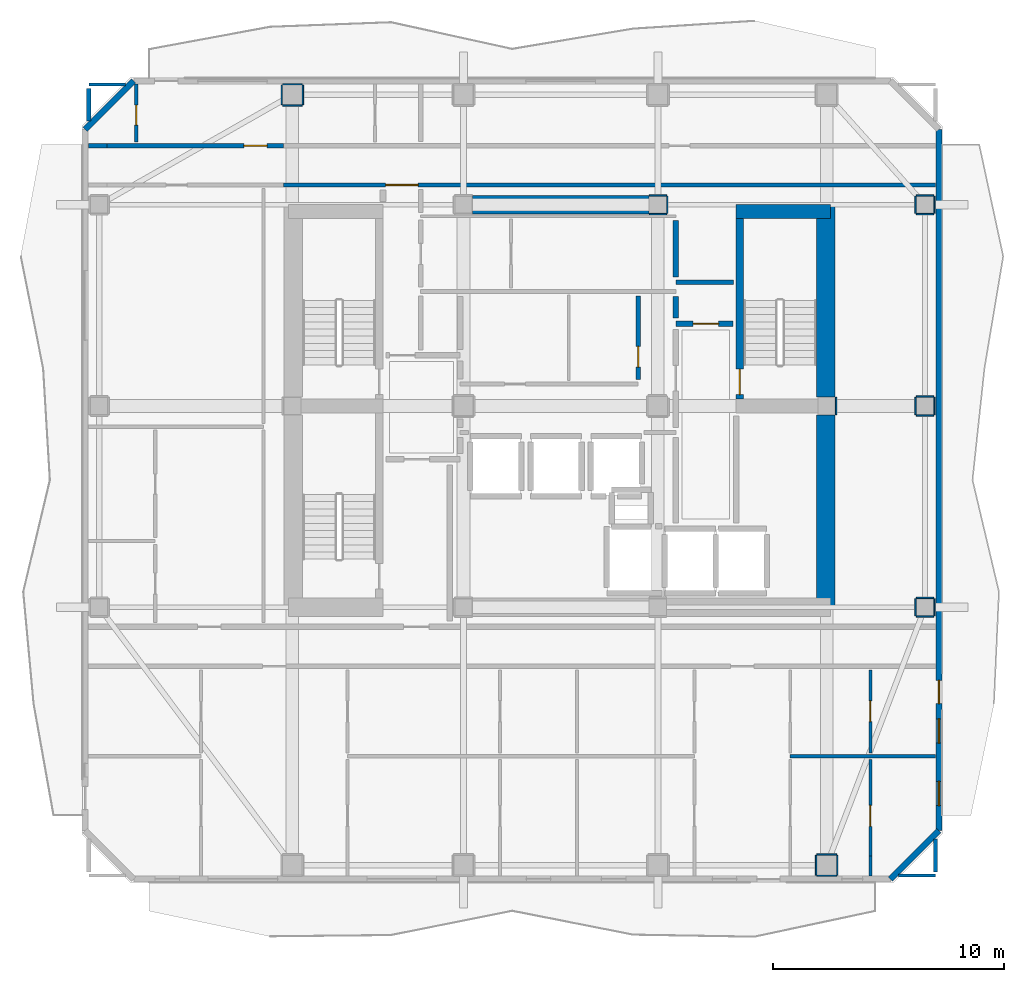
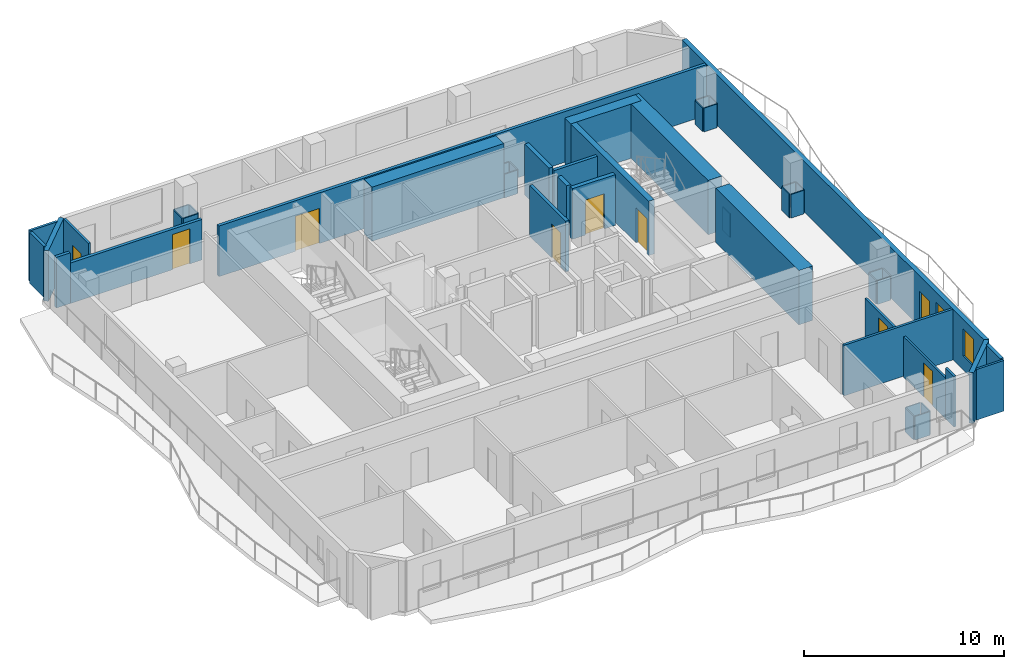
# One storey, part 5 of 10: 49 walls, 9 doors, 2 windows, 11 openings.
"""IFC4 building model written with IfcOpenShell, lengths in metres."""

import ifcopenshell
import ifcopenshell.guid

model = None  # the IFC model being written
_history = None  # IfcOwnerHistory: only IFC2X3 demands one
_inside = {}  # id of a spatial element -> (the spatial element, [elements in it])
_under = {}  # id of a project, library or spatial element -> (it, [spatial elements below it])
_declared = {}  # id of a project -> (the project, [libraries it declares])
_typed = {}  # id of a type object -> (the type object, [elements of that type])
_made_of = {}  # id of a material, layer set ... -> (it, [elements and type objects made of it])


def new_model(schema):
    """Start an empty IFC model of exactly this schema.

    Asked for "IFC4X3", IfcOpenShell would pick the latest addendum, in which some entities
    have other attributes; the version numbers below select the first issue.
    IFC2X3 requires an IfcOwnerHistory on every rooted entity: one is made here for all.
    """
    global model, _history
    if schema == "IFC4X3":
        model = ifcopenshell.file(schema_version=(4, 3, 0, 0))
    else:
        model = ifcopenshell.file(schema=schema)
    _inside.clear()
    _under.clear()
    _declared.clear()
    _typed.clear()
    _made_of.clear()
    _history = None
    if model.schema == "IFC2X3":
        org = make("IfcOrganization", Name="unknown")
        user = make(
            "IfcPersonAndOrganization",
            ThePerson=make("IfcPerson", FamilyName="unknown"),
            TheOrganization=org,
        )
        app = make(
            "IfcApplication",
            ApplicationDeveloper=org,
            Version="unknown",
            ApplicationFullName="unknown",
            ApplicationIdentifier="unknown",
        )
        _history = make(
            "IfcOwnerHistory",
            OwningUser=user,
            OwningApplication=app,
            ChangeAction="ADDED",
            CreationDate=0,
        )
    return model


def make(cls, **values):
    """One entity of the class cls with the attributes given. An attribute that is None is left unset."""
    return model.create_entity(
        cls, **{name: value for name, value in values.items() if value is not None}
    )


def rooted(cls, **values):
    """An entity with a GlobalId (a new one), such as an element, a storey or a relation."""
    return make(cls, GlobalId=ifcopenshell.guid.new(), OwnerHistory=_history, **values)


def si_unit(unit_type, name, prefix=None):
    """IfcSIUnit, for example si_unit("LENGTHUNIT", "METRE", prefix="MILLI")."""
    return make("IfcSIUnit", UnitType=unit_type, Prefix=prefix, Name=name)


def assignment(units):
    """IfcUnitAssignment: the units of a project."""
    return None if units is None else make("IfcUnitAssignment", Units=units)


def point(xyz):
    """IfcCartesianPoint."""
    return None if xyz is None else make("IfcCartesianPoint", Coordinates=xyz)


def direction(xyz):
    """IfcDirection."""
    return None if xyz is None else make("IfcDirection", DirectionRatios=xyz)


def frame(location, z_axis=None, x_axis=None):
    """IfcAxis2Placement3D, a coordinate frame: its origin and axes. An axis left out is left unset."""
    return make(
        "IfcAxis2Placement3D",
        Location=point(location),
        Axis=direction(z_axis),
        RefDirection=direction(x_axis),
    )


def frame_2d(location, x_axis=None):
    """IfcAxis2Placement2D, a coordinate frame in the plane: its origin and x axis."""
    return make(
        "IfcAxis2Placement2D", Location=point(location), RefDirection=direction(x_axis)
    )


def origin():
    """The frame at (0, 0, 0) with its axes left unset."""
    return frame((0.0, 0.0, 0.0))


def place(relative_to, where):
    """IfcLocalPlacement: puts the frame where relative to a parent placement (None: the world)."""
    return make(
        "IfcLocalPlacement", PlacementRelTo=relative_to, RelativePlacement=where
    )


def context(
    kind, dimensions, precision=None, world=None, true_north=None, identifier=None
):
    """IfcGeometricRepresentationContext, for example the 3D "Model" context."""
    return make(
        "IfcGeometricRepresentationContext",
        ContextIdentifier=identifier,
        ContextType=kind,
        CoordinateSpaceDimension=dimensions,
        Precision=precision,
        WorldCoordinateSystem=world,
        TrueNorth=true_north,
    )


def subcontext(parent, identifier, kind, view, scale=None):
    """IfcGeometricRepresentationSubContext, for example "Body" below "Model"."""
    return make(
        "IfcGeometricRepresentationSubContext",
        ContextIdentifier=identifier,
        ContextType=kind,
        ParentContext=parent,
        TargetScale=scale,
        TargetView=view,
    )


def project(units=None, contexts=None):
    """IfcProject with its units and contexts."""
    return rooted(
        "IfcProject",
        Name="project",
        RepresentationContexts=contexts,
        UnitsInContext=assignment(units),
    )


def spatial(cls, under=None, at=None, **own):
    """A site, building, storey or space (cls), placed at a placement, below another one or the project."""
    s = rooted(cls, ObjectPlacement=at, **own)
    if under is not None:
        _under.setdefault(under.id(), (under, []))[1].append(s)
    return s


def profile(cls, at=None, kind="AREA", **sizes):
    """A parametric profile (cls). Its sizes go by their IFC names, for example OverallWidth=200.0."""
    return make(cls, ProfileType=kind, Position=at, **sizes)


def rectangle(**sizes):
    """IfcRectangleProfileDef."""
    return profile("IfcRectangleProfileDef", **sizes)


def extrude(swept, where, along, depth):
    """IfcExtrudedAreaSolid: the profile swept, set in the frame where, extruded along a direction by depth."""
    return make(
        "IfcExtrudedAreaSolid",
        SweptArea=swept,
        Position=where,
        ExtrudedDirection=direction(along),
        Depth=depth,
    )


def shape(context_of_items, identifier, shape_type, items):
    """IfcShapeRepresentation: the items that make up one representation, for example the "Body"."""
    return make(
        "IfcShapeRepresentation",
        ContextOfItems=context_of_items,
        RepresentationIdentifier=identifier,
        RepresentationType=shape_type,
        Items=items,
    )


def material(Name=None, Category=None):
    """IfcMaterial."""
    return make("IfcMaterial", Name=Name, Category=Category)


def layer(
    of_material, thickness, ventilated=None, Name=None, Category=None, Priority=None
):
    """IfcMaterialLayer: one layer of a wall or slab, of a material (None: an air gap)."""
    return make(
        "IfcMaterialLayer",
        Material=of_material,
        LayerThickness=thickness,
        IsVentilated=ventilated,
        Name=Name,
        Category=Category,
        Priority=Priority,
    )


def layer_set(layers, Name=None):
    """IfcMaterialLayerSet."""
    return make("IfcMaterialLayerSet", MaterialLayers=layers, LayerSetName=Name)


def made_of(thing, what):
    """Note that an element or type object is made of a material, layer set ...; save() writes the relation."""
    if what is not None:
        _made_of.setdefault(what.id(), (what, []))[1].append(thing)
    return thing


def type_object(cls, material=None, **own):
    """A type object (cls), such as IfcWallType, which elements share."""
    return made_of(rooted(cls, **own), material)


def element(
    cls,
    number,
    at=None,
    inside=None,
    cuts=None,
    type_object=None,
    material=None,
    context=None,
    identifier="Body",
    shape_type=None,
    held_by="IfcProductDefinitionShape",
    body=None,
    shapes=None,
    **own,
):
    """One element of the class cls, such as IfcWall. Its Tag is "e" and its number.

    at: its placement. inside: the storey or other place that contains it. cuts: it is an
    opening in that element (IfcRelVoidsElement). A single representation is given by context,
    identifier, shape_type and body (its items); several are given by shapes. held_by: the class
    of the entity that holds the representations. save() writes the other relations.
    """
    e = rooted(cls, Tag="e%d" % number, ObjectPlacement=at, **own)
    if body is not None:
        shapes = [shape(context, identifier, shape_type, body)]
    if shapes is not None:
        e.Representation = make(held_by, Representations=shapes)
    if inside is not None:
        _inside.setdefault(inside.id(), (inside, []))[1].append(e)
    if cuts is not None:
        rooted(
            "IfcRelVoidsElement", RelatingBuildingElement=cuts, RelatedOpeningElement=e
        )
    if type_object is not None:
        _typed.setdefault(type_object.id(), (type_object, []))[1].append(e)
    return made_of(e, material)


def fill(opening, filler):
    """IfcRelFillsElement: the door or window that sits in an opening."""
    return rooted(
        "IfcRelFillsElement",
        RelatingOpeningElement=opening,
        RelatedBuildingElement=filler,
    )


def aggregate(whole, parts):
    """IfcRelAggregates: a whole, such as a stair, and the parts it consists of."""
    return rooted("IfcRelAggregates", RelatingObject=whole, RelatedObjects=parts)


def save(model, path):
    """Write the relations noted so far, then the file.

    IfcRelAggregates (storeys below a building ...), IfcRelContainedInSpatialStructure (elements
    in a storey), IfcRelDefinesByType, IfcRelAssociatesMaterial and IfcRelDeclares: one each for
    every whole, place, type object, material and project.
    """
    for whole, parts in _under.values():
        aggregate(whole, parts)
    for where, things in _inside.values():
        rooted(
            "IfcRelContainedInSpatialStructure",
            RelatedElements=things,
            RelatingStructure=where,
        )
    for kind, things in _typed.values():
        rooted("IfcRelDefinesByType", RelatedObjects=things, RelatingType=kind)
    for what, things in _made_of.values():
        rooted("IfcRelAssociatesMaterial", RelatedObjects=things, RelatingMaterial=what)
    for by, libraries in _declared.values():
        rooted("IfcRelDeclares", RelatingContext=by, RelatedDefinitions=libraries)
    model.write(path)


model = new_model("IFC4")

# Units and contexts
model_context = context("Model", 3, precision=1e-05, world=origin(), true_north=direction((0.0, 1.0)))
body_context = subcontext(model_context, "Body", "Model", "MODEL_VIEW")
ifc_project = project(units=[si_unit("LENGTHUNIT", "METRE"), si_unit("AREAUNIT", "SQUARE_METRE"), si_unit("VOLUMEUNIT", "CUBIC_METRE"), si_unit("PLANEANGLEUNIT", "RADIAN"), si_unit("MASSUNIT", "GRAM", prefix="KILO")], contexts=[model_context])

# Site, building, storey
site_placement = place(None, origin())
site = spatial("IfcSite", under=ifc_project, at=site_placement, CompositionType="ELEMENT")
building_placement = place(site_placement, origin())
building = spatial("IfcBuilding", under=site, at=building_placement, Name="Solanera Arch Residences", CompositionType="ELEMENT")
storey_placement = place(building_placement, frame((0.0, 0.0, 200.1201171875)))
storey = spatial("IfcBuildingStorey", under=building, at=storey_placement, Name="L58", CompositionType="ELEMENT", Elevation=200.1201171875)

# Walls
ifc_material_1 = material(Name="Fire-Rated Gypsum Stud Partition", Category="gypsum")
ifc_layer_1 = layer(ifc_material_1, 0.06005859375)
ifc_layer_set_1 = layer_set([ifc_layer_1], Name="Fire-Rated Gypsum Stud Partition")
wall_type_1 = type_object("IfcWallType", Name="Column Acoustic Furring Wall 60", PredefinedType="PARTITIONING", material=ifc_layer_set_1)
for number, where, z_axis, x_axis, name in (
    (1, (28.8330078125, 38.992919921875, 0.0), (0.0, 0.0, 1.0), (1.0, 0.0, 0.0), "L58 Column Furring 4S"),
    (2, (28.8330078125, 39.806884765625, 0.0), (0.0, 0.0, 1.0), (1.0, 0.0, 0.0), "L58 Column Furring 4N"),
):
    element("IfcWall", number, at=place(storey_placement, frame(where, z_axis=z_axis, x_axis=x_axis)), inside=storey, type_object=wall_type_1, Name=name, PredefinedType="PARTITIONING", context=body_context, shape_type="SweptSolid", body=[
        extrude(rectangle(XDim=0.741943359375, YDim=0.06005859375, at=frame_2d((0.37109375, 0.0))), origin(), (0.0, 0.0, 1.0), 1.449951171875),
    ])
for number, where, z_axis, x_axis, name in (
    (3, (29.60693359375, 39.02490234375, 0.0), (0.0, 0.0, 1.0), (0.0, 1.0, 0.0), "L58 Column Furring 4E"),
    (4, (36.906982421875, 30.324951171875, 0.0), (0.0, 0.0, 1.0), (0.0, 1.0, 0.0), "L58 Column Furring 6E"),
):
    element("IfcWall", number, at=place(storey_placement, frame(where, z_axis=z_axis, x_axis=x_axis)), inside=storey, type_object=wall_type_1, Name=name, PredefinedType="PARTITIONING", context=body_context, shape_type="SweptSolid", body=[
        extrude(rectangle(XDim=0.75, YDim=0.06005859375, at=frame_2d((0.375, 0.0))), origin(), (0.0, 0.0, 1.0), 1.449951171875),
    ])
for number, where, z_axis, x_axis, name in (
    (5, (12.97509765625, 43.693115234375, 0.0), (0.0, 0.0, 1.0), (1.0, 0.0, 0.0), "L58 Column Furring 10S"),
    (6, (12.97509765625, 44.60693359375, 0.0), (0.0, 0.0, 1.0), (1.0, 0.0, 0.0), "L58 Column Furring 10N"),
    (7, (12.943115234375, 43.72509765625, 0.0), (0.0, 0.0, 1.0), (0.0, 1.0, 0.0), "L58 Column Furring 10W"),
    (8, (13.85693359375, 43.72509765625, 0.0), (0.0, 0.0, 1.0), (0.0, 1.0, 0.0), "L58 Column Furring 10E"),
):
    element("IfcWall", number, at=place(storey_placement, frame(where, z_axis=z_axis, x_axis=x_axis)), inside=storey, type_object=wall_type_1, Name=name, PredefinedType="PARTITIONING", context=body_context, shape_type="SweptSolid", body=[
        extrude(rectangle(XDim=0.849853515625, YDim=0.06005859375, at=frame_2d((0.4248046875, 0.0))), origin(), (0.0, 0.0, 1.0), 1.449951171875),
    ])
for number, where, z_axis, x_axis, name in (
    (9, (36.074951171875, 10.39306640625, 0.0), (0.0, 0.0, 1.0), (1.0, 0.0, 0.0), "L58 Column Furring 15S"),
    (10, (36.074951171875, 11.306884765625, 0.0), (0.0, 0.0, 1.0), (1.0, 0.0, 0.0), "L58 Column Furring 15N"),
):
    element("IfcWall", number, at=place(storey_placement, frame(where, z_axis=z_axis, x_axis=x_axis)), inside=storey, type_object=wall_type_1, Name=name, PredefinedType="PARTITIONING", context=body_context, shape_type="SweptSolid", body=[
        extrude(rectangle(XDim=0.85009765625, YDim=0.06005859375, at=frame_2d((0.425048828125, 0.0))), origin(), (0.0, 0.0, 1.0), 1.449951171875),
    ])
for number, where, z_axis, x_axis, name in (
    (11, (36.04296875, 10.425048828125, 0.0), (0.0, 0.0, 1.0), (0.0, 1.0, 0.0), "L58 Column Furring 15W"),
    (12, (36.95703125, 10.425048828125, 0.0), (0.0, 0.0, 1.0), (0.0, 1.0, 0.0), "L58 Column Furring 15E"),
):
    element("IfcWall", number, at=place(storey_placement, frame(where, z_axis=z_axis, x_axis=x_axis)), inside=storey, type_object=wall_type_1, Name=name, PredefinedType="PARTITIONING", context=body_context, shape_type="SweptSolid", body=[
        extrude(rectangle(XDim=0.849853515625, YDim=0.06005859375, at=frame_2d((0.4248046875, 0.0))), origin(), (0.0, 0.0, 1.0), 1.449951171875),
    ])
for number, where, z_axis, x_axis, name in (
    (13, (40.375, 21.593017578125, 0.0), (0.0, 0.0, 1.0), (1.0, 0.0, 0.0), "L58 Column Furring 18S"),
    (14, (40.375, 22.406982421875, 0.0), (0.0, 0.0, 1.0), (1.0, 0.0, 0.0), "L58 Column Furring 18N"),
    (15, (40.343017578125, 21.625, 0.0), (0.0, 0.0, 1.0), (0.0, 1.0, 0.0), "L58 Column Furring 18W"),
    (16, (41.156982421875, 21.625, 0.0), (0.0, 0.0, 1.0), (0.0, 1.0, 0.0), "L58 Column Furring 18E"),
    (17, (40.375, 30.29296875, 0.0), (0.0, 0.0, 1.0), (1.0, 0.0, 0.0), "L58 Column Furring 20S"),
    (18, (40.375, 31.10693359375, 0.0), (0.0, 0.0, 1.0), (1.0, 0.0, 0.0), "L58 Column Furring 20N"),
    (19, (40.343017578125, 30.324951171875, 0.0), (0.0, 0.0, 1.0), (0.0, 1.0, 0.0), "L58 Column Furring 20W"),
    (20, (41.156982421875, 30.324951171875, 0.0), (0.0, 0.0, 1.0), (0.0, 1.0, 0.0), "L58 Column Furring 20E"),
    (21, (40.375, 38.992919921875, 0.0), (0.0, 0.0, 1.0), (1.0, 0.0, 0.0), "L58 Column Furring 22S"),
    (22, (40.375, 39.806884765625, 0.0), (0.0, 0.0, 1.0), (1.0, 0.0, 0.0), "L58 Column Furring 22N"),
    (23, (40.343017578125, 39.02490234375, 0.0), (0.0, 0.0, 1.0), (0.0, 1.0, 0.0), "L58 Column Furring 22W"),
    (24, (41.156982421875, 39.02490234375, 0.0), (0.0, 0.0, 1.0), (0.0, 1.0, 0.0), "L58 Column Furring 22E"),
):
    element("IfcWall", number, at=place(storey_placement, frame(where, z_axis=z_axis, x_axis=x_axis)), inside=storey, type_object=wall_type_1, Name=name, PredefinedType="PARTITIONING", context=body_context, shape_type="SweptSolid", body=[
        extrude(rectangle(XDim=0.75, YDim=0.06005859375, at=frame_2d((0.375, 0.0))), origin(), (0.0, 0.0, 1.0), 1.449951171875),
    ])

# Wall, opening, door
ifc_material_2 = material(Name="Concrete C40/50 (f'c = 45 MPa)", Category="concrete")
ifc_layer_2 = layer(ifc_material_2, 0.320068359375)
ifc_layer_set_2 = layer_set([ifc_layer_2], Name="Concrete C40/50 (f'c = 45 MPa)")
wall_type_2 = type_object("IfcWallType", Name="Core Shear Wall CW-320", PredefinedType="SHEAR", material=ifc_layer_set_2)
wall_1_placement = place(storey_placement, frame((32.739990234375, 31.0, 0.0), z_axis=(0.0, 0.0, 1.0), x_axis=(0.0, 1.0, 0.0)))
wall_1 = element("IfcWall", 25, at=wall_1_placement, inside=storey, type_object=wall_type_2, Name="L58 Stair ST-T2 West Shear Wall", PredefinedType="SHEAR", context=body_context, shape_type="SweptSolid", body=[
    extrude(rectangle(XDim=7.800048828125, YDim=0.320068359375, at=frame_2d((3.89990234375, 0.0))), origin(), (0.0, 0.0, 1.0), 3.31982421875),
])
opening_1_placement = place(wall_1_placement, frame((0.18994140625, 0.0, 0.0)))
opening_1 = element("IfcOpeningElement", 26, at=opening_1_placement, cuts=wall_1, Name="Opening DF-01", PredefinedType="OPENING", context=body_context, shape_type="SweptSolid", body=[
    extrude(rectangle(XDim=1.10009765625, YDim=2.14990234375, at=frame_2d((0.550048828125, 1.074951171875))), frame((0.0, 0.169921875, 0.0), z_axis=(0.0, -1.0, 0.0), x_axis=(1.0, 0.0, 0.0)), (0.0, 0.0, 1.0), 0.3401),
])
ifc_material_3 = material(Name="Fire-Rated Architectural Hardwood", Category="wood")
door_type_1 = type_object("IfcDoorType", Name="Stair Exit Fire Door DF-01", OperationType="NOTDEFINED", PredefinedType="DOOR", material=ifc_material_3)
door_1_placement = place(opening_1_placement, origin())
door_1 = element("IfcDoor", 27, at=door_1_placement, inside=storey, type_object=door_type_1, Name="DR-L58-STAIR-ST-T2", OperationType="SINGLE_SWING_RIGHT", OverallHeight=2.14990234375, OverallWidth=1.10009765625, PredefinedType="DOOR", context=body_context, shape_type="SweptSolid", body=[
    extrude(rectangle(XDim=1.10009765625, YDim=2.14990234375, at=frame_2d((0.550048828125, 1.074951171875))), frame((0.0, 0.02490234375, 0.0), z_axis=(0.0, -1.0, 0.0), x_axis=(1.0, 0.0, 0.0)), (0.0, 0.0, 1.0), 0.050048828125),
])
fill(opening_1, door_1)

# Walls
ifc_material_4 = material(Name="Concrete C40/50 (f'c = 45 MPa)", Category="concrete")
ifc_layer_3 = layer(ifc_material_4, 0.60009765625)
ifc_layer_set_3 = layer_set([ifc_layer_3], Name="Concrete C40/50 (f'c = 45 MPa)")
wall_type_3 = type_object("IfcWallType", Name="Core Shear Wall CW-600", PredefinedType="SHEAR", material=ifc_layer_set_3)
wall_2_placement = place(storey_placement, frame((32.580078125, 39.10009765625, 0.0), z_axis=(0.0, 0.0, 1.0), x_axis=(1.0, 0.0, 0.0)))
element("IfcWall", 28, at=wall_2_placement, inside=storey, type_object=wall_type_3, Name="L58 North-East Core Shear Wall", PredefinedType="SHEAR", context=body_context, shape_type="SweptSolid", body=[
    extrude(rectangle(XDim=4.079833984375, YDim=0.60009765625, at=frame_2d((2.0400390625, 0.0))), origin(), (0.0, 0.0, 1.0), 3.31982421875),
])
ifc_material_5 = material(Name="Concrete C40/50 (f'c = 45 MPa)", Category="concrete")
ifc_layer_4 = layer(ifc_material_5, 0.800048828125)
ifc_layer_set_4 = layer_set([ifc_layer_4], Name="Concrete C40/50 (f'c = 45 MPa)")
wall_type_4 = type_object("IfcWallType", Name="Core Shear Wall CW-800", PredefinedType="SHEAR", material=ifc_layer_set_4)
wall_3_placement = place(storey_placement, frame((36.4599609375, 22.0, 0.0), z_axis=(0.0, 0.0, 1.0), x_axis=(0.0, 1.0, 0.0)))
element("IfcWall", 29, at=wall_3_placement, inside=storey, type_object=wall_type_4, Name="L58 East Core South Shear Wall", PredefinedType="SHEAR", context=body_context, shape_type="SweptSolid", body=[
    extrude(rectangle(XDim=8.320068359375, YDim=0.800048828125, at=frame_2d((4.16015625, 0.0))), origin(), (0.0, 0.0, 1.0), 3.31982421875),
])
wall_4_placement = place(storey_placement, frame((36.4599609375, 31.080078125, 0.0), z_axis=(0.0, 0.0, 1.0), x_axis=(0.0, 1.0, 0.0)))
element("IfcWall", 30, at=wall_4_placement, inside=storey, type_object=wall_type_4, Name="L58 East Core North Shear Wall", PredefinedType="SHEAR", context=body_context, shape_type="SweptSolid", body=[
    extrude(rectangle(XDim=8.31982421875, YDim=0.800048828125, at=frame_2d((4.159912109375, 0.0))), origin(), (0.0, 0.0, 1.0), 3.31982421875),
])
wall_5_placement = place(storey_placement, frame((21.179931640625, 39.39990234375, 0.0), z_axis=(0.0, 0.0, 1.0), x_axis=(1.0, 0.0, 0.0)))
element("IfcWall", 31, at=wall_5_placement, inside=storey, type_object=wall_type_4, Name="L58 Central North Core Shear Wall", PredefinedType="SHEAR", context=body_context, shape_type="SweptSolid", body=[
    extrude(rectangle(XDim=7.64013671875, YDim=0.800048828125, at=frame_2d((3.820068359375, 0.0))), origin(), (0.0, 0.0, 1.0), 3.31982421875),
])
ifc_material_6 = material(Name="Autoclaved Aerated Concrete Blockwork", Category="masonry")
ifc_layer_5 = layer(ifc_material_6, 0.179931640625)
ifc_layer_set_5 = layer_set([ifc_layer_5], Name="Autoclaved Aerated Concrete Blockwork")
wall_type_5 = type_object("IfcWallType", Name="Corridor Fire Partition 180", PredefinedType="PARTITIONING", material=ifc_layer_set_5)
wall_6_placement = place(storey_placement, frame((29.97509765625, 36.050048828125, 0.0), z_axis=(0.0, 0.0, 1.0), x_axis=(1.0, 0.0, 0.0)))
element("IfcWall", 32, at=wall_6_placement, inside=storey, type_object=wall_type_5, Name="L58 Interior Partition H10", PredefinedType="PARTITIONING", context=body_context, shape_type="SweptSolid", body=[
    extrude(rectangle(XDim=2.5048828125, YDim=0.179931640625, at=frame_2d((1.25244140625, 0.0))), origin(), (0.0, 0.0, 1.0), 3.099853515625),
])

# Wall, opening, door
wall_7_placement = place(storey_placement, frame((13.011962890625, 40.25, 0.0), z_axis=(0.0, 0.0, 1.0), x_axis=(1.0, 0.0, 0.0)))
wall_7 = element("IfcWall", 33, at=wall_7_placement, inside=storey, type_object=wall_type_5, Name="L58 Interior Partition H11 3", PredefinedType="PARTITIONING", context=body_context, shape_type="SweptSolid", body=[
    extrude(rectangle(XDim=28.200927734375, YDim=0.179931640625, at=frame_2d((14.1005859375, 0.0))), origin(), (0.0, 0.0, 1.0), 3.099853515625),
])
opening_2_placement = place(wall_7_placement, frame((4.423095703125, 0.0, 0.0)))
opening_2 = element("IfcOpeningElement", 34, at=opening_2_placement, cuts=wall_7, Name="Opening DF-03", PredefinedType="OPENING", context=body_context, shape_type="SweptSolid", body=[
    extrude(rectangle(XDim=1.39990234375, YDim=2.14990234375, at=frame_2d((0.699951171875, 1.074951171875))), frame((0.0, 0.10009765625, 0.0), z_axis=(0.0, -1.0, 0.0), x_axis=(1.0, 0.0, 0.0)), (0.0, 0.0, 1.0), 0.1999),
])
ifc_material_7 = material(Name="Fire-Rated Architectural Hardwood", Category="wood")
door_type_2 = type_object("IfcDoorType", Name="Corridor Smoke Door DF-03", OperationType="NOTDEFINED", PredefinedType="DOOR", material=ifc_material_7)
door_2_placement = place(opening_2_placement, origin())
door_2 = element("IfcDoor", 35, at=door_2_placement, inside=storey, type_object=door_type_2, Name="DR-L58-IN-009", OperationType="SINGLE_SWING_LEFT", OverallHeight=2.14990234375, OverallWidth=1.39990234375, PredefinedType="DOOR", context=body_context, shape_type="SweptSolid", body=[
    extrude(rectangle(XDim=1.39990234375, YDim=2.14990234375, at=frame_2d((0.699951171875, 1.074951171875))), frame((0.0, 0.02490234375, 0.0), z_axis=(0.0, -1.0, 0.0), x_axis=(1.0, 0.0, 0.0)), (0.0, 0.0, 1.0), 0.050048828125),
])
fill(opening_2, door_2)

# Wall
wall_8_placement = place(storey_placement, frame((4.5869140625, 41.949951171875, 0.0), z_axis=(0.0, 0.0, 1.0), x_axis=(1.0, 0.0, 0.0)))
element("IfcWall", 36, at=wall_8_placement, inside=storey, type_object=wall_type_5, Name="L58 Interior Partition H12 1", PredefinedType="PARTITIONING", context=body_context, shape_type="SweptSolid", body=[
    extrude(rectangle(XDim=0.801025390625, YDim=0.179931640625, at=frame_2d((0.400390625, 0.0))), origin(), (0.0, 0.0, 1.0), 3.099853515625),
])

# Wall, opening, door
wall_9_placement = place(storey_placement, frame((5.387939453125, 41.949951171875, 0.0), z_axis=(0.0, 0.0, 1.0), x_axis=(1.0, 0.0, 0.0)))
wall_9 = element("IfcWall", 37, at=wall_9_placement, inside=storey, type_object=wall_type_5, Name="L58 Interior Partition H12 2", PredefinedType="PARTITIONING", context=body_context, shape_type="SweptSolid", body=[
    extrude(rectangle(XDim=7.6240234375, YDim=0.179931640625, at=frame_2d((3.81201171875, 0.0))), origin(), (0.0, 0.0, 1.0), 2.476806640625),
])
opening_3_placement = place(wall_9_placement, frame((5.922119140625, 0.0, 0.0)))
opening_3 = element("IfcOpeningElement", 38, at=opening_3_placement, cuts=wall_9, Name="Opening DI-01", PredefinedType="OPENING", context=body_context, shape_type="SweptSolid", body=[
    extrude(rectangle(XDim=1.0, YDim=2.14990234375, at=frame_2d((0.5, 1.074951171875))), frame((0.0, 0.10009765625, 0.0), z_axis=(0.0, -1.0, 0.0), x_axis=(1.0, 0.0, 0.0)), (0.0, 0.0, 1.0), 0.1999),
])
ifc_material_8 = material(Name="Fire-Rated Architectural Hardwood", Category="wood")
door_type_3 = type_object("IfcDoorType", Name="Unit Entrance Fire Door DI-01", OperationType="NOTDEFINED", PredefinedType="DOOR", material=ifc_material_8)
door_3_placement = place(opening_3_placement, origin())
door_3 = element("IfcDoor", 39, at=door_3_placement, inside=storey, type_object=door_type_3, Name="DR-L58-IN-028", OperationType="SINGLE_SWING_RIGHT", OverallHeight=2.14990234375, OverallWidth=1.0, PredefinedType="DOOR", context=body_context, shape_type="SweptSolid", body=[
    extrude(rectangle(XDim=1.0, YDim=2.14990234375, at=frame_2d((0.5, 1.074951171875))), frame((0.0, 0.02490234375, 0.0), z_axis=(0.0, -1.0, 0.0), x_axis=(1.0, 0.0, 0.0)), (0.0, 0.0, 1.0), 0.050048828125),
])
fill(opening_3, door_3)

# Wall
wall_10_placement = place(storey_placement, frame((4.60009765625, 43.010986328125, 0.0), z_axis=(0.0, 0.0, 1.0), x_axis=(0.0, 1.0, 0.0)))
element("IfcWall", 40, at=wall_10_placement, inside=storey, type_object=wall_type_5, Name="L58 Interior Partition V6 2", PredefinedType="PARTITIONING", context=body_context, shape_type="SweptSolid", body=[
    extrude(rectangle(XDim=1.4208984375, YDim=0.179931640625, at=frame_2d((0.71044921875, 0.0))), origin(), (0.0, 0.0, 1.0), 3.099853515625),
])

# Wall, opening, door
wall_11_placement = place(storey_placement, frame((28.35009765625, 31.837890625, 0.0), z_axis=(0.0, 0.0, 1.0), x_axis=(0.0, 1.0, 0.0)))
wall_11 = element("IfcWall", 41, at=wall_11_placement, inside=storey, type_object=wall_type_5, Name="L58 Interior Partition V9", PredefinedType="PARTITIONING", context=body_context, shape_type="SweptSolid", body=[
    extrude(rectangle(XDim=3.6240234375, YDim=0.179931640625, at=frame_2d((1.81201171875, 0.0))), origin(), (0.0, 0.0, 1.0), 3.099853515625),
])
opening_4_placement = place(wall_11_placement, frame((0.541015625, 0.0, 0.0)))
opening_4 = element("IfcOpeningElement", 42, at=opening_4_placement, cuts=wall_11, Name="Opening DI-02", PredefinedType="OPENING", context=body_context, shape_type="SweptSolid", body=[
    extrude(rectangle(XDim=0.89990234375, YDim=2.10009765625, at=frame_2d((0.449951171875, 1.050048828125))), frame((0.0, 0.10009765625, 0.0), z_axis=(0.0, -1.0, 0.0), x_axis=(1.0, 0.0, 0.0)), (0.0, 0.0, 1.0), 0.1999),
])
ifc_material_9 = material(Name="Fire-Rated Architectural Hardwood", Category="wood")
door_type_4 = type_object("IfcDoorType", Name="Suite Room Swing Door DI-02", OperationType="NOTDEFINED", PredefinedType="DOOR", material=ifc_material_9)
door_4_placement = place(opening_4_placement, origin())
door_4 = element("IfcDoor", 43, at=door_4_placement, inside=storey, type_object=door_type_4, Name="DR-L58-IN-013", OperationType="SINGLE_SWING_LEFT", OverallHeight=2.10009765625, OverallWidth=0.89990234375, PredefinedType="DOOR", context=body_context, shape_type="SweptSolid", body=[
    extrude(rectangle(XDim=0.89990234375, YDim=2.10009765625, at=frame_2d((0.449951171875, 1.050048828125))), frame((0.0, 0.02490234375, 0.0), z_axis=(0.0, -1.0, 0.0), x_axis=(1.0, 0.0, 0.0)), (0.0, 0.0, 1.0), 0.050048828125),
])
fill(opening_4, door_4)

# Walls
wall_12_placement = place(storey_placement, frame((41.199951171875, 10.55810546875, 0.0), z_axis=(0.0, 0.0, 1.0), x_axis=(0.0, 1.0, 0.0)))
element("IfcWall", 44, at=wall_12_placement, inside=storey, type_object=wall_type_5, Name="L58 Interior Partition V10", PredefinedType="PARTITIONING", context=body_context, shape_type="SweptSolid", body=[
    extrude(rectangle(XDim=1.430908203125, YDim=0.179931640625, at=frame_2d((0.71533203125, 0.0))), origin(), (0.0, 0.0, 1.0), 3.099853515625),
])
ifc_material_10 = material(Name="Precast Concrete C35/45", Category="concrete")
ifc_layer_6 = layer(ifc_material_10, 0.260009765625)
ifc_layer_set_6 = layer_set([ifc_layer_6], Name="Precast Concrete C35/45")
wall_type_6 = type_object("IfcWallType", Name="Exterior Wall Precast Masonry-Frame 260", PredefinedType="STANDARD", material=ifc_layer_set_6)
wall_13_placement = place(storey_placement, frame((4.445068359375, 42.655029296875, 0.0), z_axis=(0.0, 0.0, 1.0), x_axis=(0.707106781187, 0.707106781187, 0.0)))
element("IfcWall", 45, at=wall_13_placement, inside=storey, type_object=wall_type_6, Name="L58 Tower Exterior Precast Masonry-Frame Wall CH1", PredefinedType="STANDARD", context=body_context, shape_type="SweptSolid", body=[
    extrude(rectangle(XDim=2.9697265625, YDim=0.260009765625, at=frame_2d((1.48486328125, 0.0))), origin(), (0.0, 0.0, 1.0), 3.099853515625),
])

# Wall, openings, door, windows
wall_14_placement = place(storey_placement, frame((41.35498046875, 42.655029296875, 0.0), z_axis=(0.0, 0.0, 1.0), x_axis=(0.0, -1.0, 0.0)))
wall_14 = element("IfcWall", 46, at=wall_14_placement, inside=storey, type_object=wall_type_6, Name="L58 Tower Exterior Precast Masonry-Frame Wall E", PredefinedType="STANDARD", context=body_context, shape_type="SweptSolid", body=[
    extrude(rectangle(XDim=30.31005859375, YDim=0.260009765625, at=frame_2d((15.155029296875, 0.0))), origin(), (0.0, 0.0, 1.0), 3.099853515625),
])
opening_5_placement = place(wall_14_placement, frame((23.818115234375, 0.0, 0.0)))
opening_5 = element("IfcOpeningElement", 47, at=opening_5_placement, cuts=wall_14, Name="Opening DB-01", PredefinedType="OPENING", context=body_context, shape_type="SweptSolid", body=[
    extrude(rectangle(XDim=1.0, YDim=2.14990234375, at=frame_2d((0.5, 1.074951171875))), frame((0.0, 0.139892578125, 0.0), z_axis=(0.0, -1.0, 0.0), x_axis=(1.0, 0.0, 0.0)), (0.0, 0.0, 1.0), 0.28),
])
opening_6_placement = place(wall_14_placement, frame((25.48193359375, 0.0, 0.85009765625)))
opening_6 = element("IfcOpeningElement", 48, at=opening_6_placement, cuts=wall_14, Name="Opening W-07", PredefinedType="OPENING", context=body_context, shape_type="SweptSolid", body=[
    extrude(rectangle(XDim=1.050048828125, YDim=1.64990234375, at=frame_2d((0.52490234375, 0.824951171875))), frame((0.0, 0.139892578125, 0.0), z_axis=(0.0, -1.0, 0.0), x_axis=(1.0, 0.0, 0.0)), (0.0, 0.0, 1.0), 0.28),
])
opening_7_placement = place(wall_14_placement, frame((28.18310546875, 0.0, 0.85009765625)))
opening_7 = element("IfcOpeningElement", 49, at=opening_7_placement, cuts=wall_14, Name="Opening W-07", PredefinedType="OPENING", context=body_context, shape_type="SweptSolid", body=[
    extrude(rectangle(XDim=1.050048828125, YDim=1.64990234375, at=frame_2d((0.52490234375, 0.824951171875))), frame((0.0, 0.139892578125, 0.0), z_axis=(0.0, -1.0, 0.0), x_axis=(1.0, 0.0, 0.0)), (0.0, 0.0, 1.0), 0.28),
])
ifc_material_11 = material(Name="Anodised Aluminium Alloy 6063-T6", Category="aluminium")
door_type_5 = type_object("IfcDoorType", Name="Glazed Balcony Swing Door DB-01", OperationType="NOTDEFINED", PredefinedType="DOOR", material=ifc_material_11)
door_5_placement = place(opening_5_placement, origin())
door_5 = element("IfcDoor", 50, at=door_5_placement, inside=storey, type_object=door_type_5, Name="DR-L58-OUT-03", OperationType="SINGLE_SWING_RIGHT", OverallHeight=2.14990234375, OverallWidth=1.0, PredefinedType="DOOR", context=body_context, shape_type="SweptSolid", body=[
    extrude(rectangle(XDim=1.0, YDim=2.14990234375, at=frame_2d((0.5, 1.074951171875))), frame((0.0, 0.02490234375, 0.0), z_axis=(0.0, -1.0, 0.0), x_axis=(1.0, 0.0, 0.0)), (0.0, 0.0, 1.0), 0.050048828125),
])
fill(opening_5, door_5)
ifc_material_12 = material(Name="Double Glazed Low-E Laminated Glass", Category="glass")
window_type = type_object("IfcWindowType", Name="Punched Window W-07", PartitioningType="SINGLE_PANEL", PredefinedType="WINDOW", material=ifc_material_12)
window_1_placement = place(opening_6_placement, origin())
window_1 = element("IfcWindow", 51, at=window_1_placement, inside=storey, type_object=window_type, Name="L58 5802-STD Punched Window", OverallHeight=1.64990234375, OverallWidth=1.050048828125, PartitioningType="SINGLE_PANEL", PredefinedType="WINDOW", context=body_context, shape_type="SweptSolid", body=[
    extrude(rectangle(XDim=1.050048828125, YDim=1.64990234375, at=frame_2d((0.52490234375, 0.824951171875))), frame((0.0, 0.030029296875, 0.0), z_axis=(0.0, -1.0, 0.0), x_axis=(1.0, 0.0, 0.0)), (0.0, 0.0, 1.0), 0.06005859375),
])
fill(opening_6, window_1)
window_2_placement = place(opening_7_placement, origin())
window_2 = element("IfcWindow", 52, at=window_2_placement, inside=storey, type_object=window_type, Name="L58 5802-BR3 Punched Window", OverallHeight=1.64990234375, OverallWidth=1.050048828125, PartitioningType="SINGLE_PANEL", PredefinedType="WINDOW", context=body_context, shape_type="SweptSolid", body=[
    extrude(rectangle(XDim=1.050048828125, YDim=1.64990234375, at=frame_2d((0.52490234375, 0.824951171875))), frame((0.0, 0.030029296875, 0.0), z_axis=(0.0, -1.0, 0.0), x_axis=(1.0, 0.0, 0.0)), (0.0, 0.0, 1.0), 0.06005859375),
])
fill(opening_7, window_2)

# Wall
wall_15_placement = place(storey_placement, frame((41.35498046875, 12.344970703125, 0.0), z_axis=(0.0, 0.0, 1.0), x_axis=(-0.707147883682, -0.707065676302, 0.0)))
element("IfcWall", 53, at=wall_15_placement, inside=storey, type_object=wall_type_6, Name="L58 Tower Exterior Precast Masonry-Frame Wall CH5", PredefinedType="STANDARD", context=body_context, shape_type="SweptSolid", body=[
    extrude(rectangle(XDim=2.9697265625, YDim=0.260009765625, at=frame_2d((1.48486328125, 0.0))), origin(), (0.0, 0.0, 1.0), 3.099853515625),
])

# Wall, opening, door
ifc_material_13 = material(Name="Autoclaved Aerated Concrete Blockwork", Category="masonry")
ifc_layer_7 = layer(ifc_material_13, 0.239990234375)
ifc_layer_set_7 = layer_set([ifc_layer_7], Name="Autoclaved Aerated Concrete Blockwork")
wall_type_7 = type_object("IfcWallType", Name="Shaft Wall Fire-Rated 240", PredefinedType="PARTITIONING", material=ifc_layer_set_7)
wall_16_placement = place(storey_placement, frame((29.97509765625, 34.25, 0.0), z_axis=(0.0, 0.0, 1.0), x_axis=(1.0, 0.0, 0.0)))
wall_16 = element("IfcWall", 54, at=wall_16_placement, inside=storey, type_object=wall_type_7, Name="L58 Interior Partition H5", PredefinedType="PARTITIONING", context=body_context, shape_type="SweptSolid", body=[
    extrude(rectangle(XDim=2.474853515625, YDim=0.239990234375, at=frame_2d((1.2373046875, 0.0))), origin(), (0.0, 0.0, 1.0), 3.099853515625),
])
opening_8_placement = place(wall_16_placement, frame((0.751953125, 0.0, 0.0)))
opening_8 = element("IfcOpeningElement", 55, at=opening_8_placement, cuts=wall_16, Name="Opening DF-02", PredefinedType="OPENING", context=body_context, shape_type="SweptSolid", body=[
    extrude(rectangle(XDim=1.10009765625, YDim=2.14990234375, at=frame_2d((0.550048828125, 1.074951171875))), frame((0.0, 0.1298828125, 0.0), z_axis=(0.0, -1.0, 0.0), x_axis=(1.0, 0.0, 0.0)), (0.0, 0.0, 1.0), 0.26),
])
ifc_material_14 = material(Name="Fire-Rated Architectural Hardwood", Category="wood")
door_type_6 = type_object("IfcDoorType", Name="Firefighting Lobby Fire Door DF-02", OperationType="NOTDEFINED", PredefinedType="DOOR", material=ifc_material_14)
door_6_placement = place(opening_8_placement, origin())
door_6 = element("IfcDoor", 56, at=door_6_placement, inside=storey, type_object=door_type_6, Name="DR-L58-IN-007", OperationType="SINGLE_SWING_LEFT", OverallHeight=2.14990234375, OverallWidth=1.10009765625, PredefinedType="DOOR", context=body_context, shape_type="SweptSolid", body=[
    extrude(rectangle(XDim=1.10009765625, YDim=2.14990234375, at=frame_2d((0.550048828125, 1.074951171875))), frame((0.0, 0.02490234375, 0.0), z_axis=(0.0, -1.0, 0.0), x_axis=(1.0, 0.0, 0.0)), (0.0, 0.0, 1.0), 0.050048828125),
])
fill(opening_8, door_6)

# Walls
wall_17_placement = place(storey_placement, frame((29.97509765625, 34.498046875, 0.0), z_axis=(0.0, 0.0, 1.0), x_axis=(0.0, 1.0, 0.0)))
element("IfcWall", 57, at=wall_17_placement, inside=storey, type_object=wall_type_7, Name="L58 Interior Partition V4 3", PredefinedType="PARTITIONING", context=body_context, shape_type="SweptSolid", body=[
    extrude(rectangle(XDim=0.933837890625, YDim=0.239990234375, at=frame_2d((0.466796875, 0.0))), origin(), (0.0, 0.0, 1.0), 3.099853515625),
])
wall_18_placement = place(storey_placement, frame((29.97509765625, 36.26806640625, 0.0), z_axis=(0.0, 0.0, 1.0), x_axis=(0.0, 1.0, 0.0)))
element("IfcWall", 58, at=wall_18_placement, inside=storey, type_object=wall_type_7, Name="L58 Interior Partition V4 4", PredefinedType="PARTITIONING", context=body_context, shape_type="SweptSolid", body=[
    extrude(rectangle(XDim=2.44384765625, YDim=0.239990234375, at=frame_2d((1.221923828125, 0.0))), origin(), (0.0, 0.0, 1.0), 3.099853515625),
])
ifc_material_15 = material(Name="Fire-Rated Gypsum Stud Partition", Category="gypsum")
ifc_layer_8 = layer(ifc_material_15, 0.1201171875)
ifc_layer_set_8 = layer_set([ifc_layer_8], Name="Fire-Rated Gypsum Stud Partition")
wall_type_8 = type_object("IfcWallType", Name="Unit Drywall Partition 120", PredefinedType="PARTITIONING", material=ifc_layer_set_8)
wall_19_placement = place(storey_placement, frame((39.611083984375, 10.39990234375, 0.0), z_axis=(0.0, 0.0, 1.0), x_axis=(1.0, 0.0, 0.0)))
element("IfcWall", 59, at=wall_19_placement, inside=storey, type_object=wall_type_8, Name="L58 Interior Partition H19 2", PredefinedType="PARTITIONING", context=body_context, shape_type="SweptSolid", body=[
    extrude(rectangle(XDim=1.5888671875, YDim=0.1201171875, at=frame_2d((0.79443359375, 0.0))), origin(), (0.0, 0.0, 1.0), 3.099853515625),
])
wall_20_placement = place(storey_placement, frame((38.388916015625, 10.386962890625, 0.0), z_axis=(0.0, 0.0, 1.0), x_axis=(0.0, 1.0, 0.0)))
element("IfcWall", 60, at=wall_20_placement, inside=storey, type_object=wall_type_8, Name="L58 Interior Partition V24 1", PredefinedType="PARTITIONING", context=body_context, shape_type="SweptSolid", body=[
    extrude(rectangle(XDim=0.85205078125, YDim=0.1201171875, at=frame_2d((0.426025390625, 0.0))), origin(), (0.0, 0.0, 1.0), 3.099853515625),
])

# Wall, opening, door
wall_21_placement = place(storey_placement, frame((38.388916015625, 11.239013671875, 0.0), z_axis=(0.0, 0.0, 1.0), x_axis=(0.0, 1.0, 0.0)))
wall_21 = element("IfcWall", 61, at=wall_21_placement, inside=storey, type_object=wall_type_8, Name="L58 Interior Partition V24 2", PredefinedType="PARTITIONING", context=body_context, shape_type="SweptSolid", body=[
    extrude(rectangle(XDim=4.181884765625, YDim=0.1201171875, at=frame_2d((2.0908203125, 0.0))), origin(), (0.0, 0.0, 1.0), 2.476806640625),
])
opening_9_placement = place(wall_21_placement, frame((1.291015625, 0.0, 0.0)))
opening_9 = element("IfcOpeningElement", 62, at=opening_9_placement, cuts=wall_21, Name="Opening DI-03", PredefinedType="OPENING", context=body_context, shape_type="SweptSolid", body=[
    extrude(rectangle(XDim=0.89990234375, YDim=2.10009765625, at=frame_2d((0.449951171875, 1.050048828125))), frame((0.0, 0.070068359375, 0.0), z_axis=(0.0, -1.0, 0.0), x_axis=(1.0, 0.0, 0.0)), (0.0, 0.0, 1.0), 0.1401),
])
ifc_material_16 = material(Name="Fire-Rated Architectural Hardwood", Category="wood")
door_type_7 = type_object("IfcDoorType", Name="Bedroom Swing Door DI-03", OperationType="NOTDEFINED", PredefinedType="DOOR", material=ifc_material_16)
door_7_placement = place(opening_9_placement, origin())
door_7 = element("IfcDoor", 63, at=door_7_placement, inside=storey, type_object=door_type_7, Name="DR-L58-IN-027", OperationType="SINGLE_SWING_LEFT", OverallHeight=2.10009765625, OverallWidth=0.89990234375, PredefinedType="DOOR", context=body_context, shape_type="SweptSolid", body=[
    extrude(rectangle(XDim=0.89990234375, YDim=2.10009765625, at=frame_2d((0.449951171875, 1.050048828125))), frame((0.0, 0.02490234375, 0.0), z_axis=(0.0, -1.0, 0.0), x_axis=(1.0, 0.0, 0.0)), (0.0, 0.0, 1.0), 0.050048828125),
])
fill(opening_9, door_7)

wall_22_placement = place(storey_placement, frame((38.388916015625, 15.697021484375, 0.0), z_axis=(0.0, 0.0, 1.0), x_axis=(0.0, 1.0, 0.0)))
wall_22 = element("IfcWall", 64, at=wall_22_placement, inside=storey, type_object=wall_type_8, Name="L58 Interior Partition V24 3", PredefinedType="PARTITIONING", context=body_context, shape_type="SweptSolid", body=[
    extrude(rectangle(XDim=3.594970703125, YDim=0.1201171875, at=frame_2d((1.79736328125, 0.0))), origin(), (0.0, 0.0, 1.0), 2.476806640625),
])
opening_10_placement = place(wall_22_placement, frame((1.35791015625, 0.0, 0.0)))
opening_10 = element("IfcOpeningElement", 65, at=opening_10_placement, cuts=wall_22, Name="Opening DI-02", PredefinedType="OPENING", context=body_context, shape_type="SweptSolid", body=[
    extrude(rectangle(XDim=0.89990234375, YDim=2.10009765625, at=frame_2d((0.449951171875, 1.050048828125))), frame((0.0, 0.070068359375, 0.0), z_axis=(0.0, -1.0, 0.0), x_axis=(1.0, 0.0, 0.0)), (0.0, 0.0, 1.0), 0.1401),
])
door_8_placement = place(opening_10_placement, origin())
door_8 = element("IfcDoor", 66, at=door_8_placement, inside=storey, type_object=door_type_4, Name="DR-L58-IN-025", OperationType="SINGLE_SWING_LEFT", OverallHeight=2.10009765625, OverallWidth=0.89990234375, PredefinedType="DOOR", context=body_context, shape_type="SweptSolid", body=[
    extrude(rectangle(XDim=0.89990234375, YDim=2.10009765625, at=frame_2d((0.449951171875, 1.050048828125))), frame((0.0, 0.02490234375, 0.0), z_axis=(0.0, -1.0, 0.0), x_axis=(1.0, 0.0, 0.0)), (0.0, 0.0, 1.0), 0.050048828125),
])
fill(opening_10, door_8)

# Walls
ifc_material_17 = material(Name="Autoclaved Aerated Concrete Blockwork", Category="masonry")
ifc_layer_9 = layer(ifc_material_17, 0.139892578125)
ifc_layer_set_9 = layer_set([ifc_layer_9], Name="Autoclaved Aerated Concrete Blockwork")
wall_type_9 = type_object("IfcWallType", Name="Wet-Room Partition 140", PredefinedType="PARTITIONING", material=ifc_layer_set_9)
wall_23_placement = place(storey_placement, frame((34.919921875, 15.55908203125, 0.0), z_axis=(0.0, 0.0, 1.0), x_axis=(1.0, 0.0, 0.0)))
element("IfcWall", 67, at=wall_23_placement, inside=storey, type_object=wall_type_9, Name="L58 Interior Partition H15", PredefinedType="PARTITIONING", context=body_context, shape_type="SweptSolid", body=[
    extrude(rectangle(XDim=6.29296875, YDim=0.139892578125, at=frame_2d((3.146484375, 0.0))), origin(), (0.0, 0.0, 1.0), 3.099853515625),
])
wall_24_placement = place(storey_placement, frame((4.60009765625, 44.60009765625, 0.0), z_axis=(0.0, 0.0, 1.0), x_axis=(1.0, 0.0, 0.0)))
element("IfcWall", 68, at=wall_24_placement, inside=storey, type_object=wall_type_9, Name="L58 Interior Partition H18 1", PredefinedType="PARTITIONING", context=body_context, shape_type="SweptSolid", body=[
    extrude(rectangle(XDim=1.5888671875, YDim=0.139892578125, at=frame_2d((0.79443359375, 0.0))), origin(), (0.0, 0.0, 1.0), 3.099853515625),
])

# Wall, opening, door
wall_25_placement = place(storey_placement, frame((6.64990234375, 42.117919921875, 0.0), z_axis=(0.0, 0.0, 1.0), x_axis=(0.0, 1.0, 0.0)))
wall_25 = element("IfcWall", 69, at=wall_25_placement, inside=storey, type_object=wall_type_9, Name="L58 Interior Partition V12", PredefinedType="PARTITIONING", context=body_context, shape_type="SweptSolid", body=[
    extrude(rectangle(XDim=2.4951171875, YDim=0.139892578125, at=frame_2d((1.24755859375, 0.0))), origin(), (0.0, 0.0, 1.0), 3.099853515625),
])
opening_11_placement = place(wall_25_placement, frame((0.72705078125, 0.0, 0.0)))
opening_11 = element("IfcOpeningElement", 70, at=opening_11_placement, cuts=wall_25, Name="Opening DI-05", PredefinedType="OPENING", context=body_context, shape_type="SweptSolid", body=[
    extrude(rectangle(XDim=0.860107421875, YDim=2.02001953125, at=frame_2d((0.43017578125, 1.010009765625))), frame((0.0, 0.079833984375, 0.0), z_axis=(0.0, -1.0, 0.0), x_axis=(1.0, 0.0, 0.0)), (0.0, 0.0, 1.0), 0.1599),
])
ifc_material_18 = material(Name="Fire-Rated Architectural Hardwood", Category="wood")
door_type_8 = type_object("IfcDoorType", Name="Bathroom Swing Door DI-05", OperationType="NOTDEFINED", PredefinedType="DOOR", material=ifc_material_18)
door_9_placement = place(opening_11_placement, origin())
door_9 = element("IfcDoor", 71, at=door_9_placement, inside=storey, type_object=door_type_8, Name="DR-L58-IN-029", OperationType="SINGLE_SWING_LEFT", OverallHeight=2.02001953125, OverallWidth=0.860107421875, PredefinedType="DOOR", context=body_context, shape_type="SweptSolid", body=[
    extrude(rectangle(XDim=0.860107421875, YDim=2.02001953125, at=frame_2d((0.43017578125, 1.010009765625))), frame((0.0, 0.02490234375, 0.0), z_axis=(0.0, -1.0, 0.0), x_axis=(1.0, 0.0, 0.0)), (0.0, 0.0, 1.0), 0.050048828125),
])
fill(opening_11, door_9)

save(model, "model.ifc")
